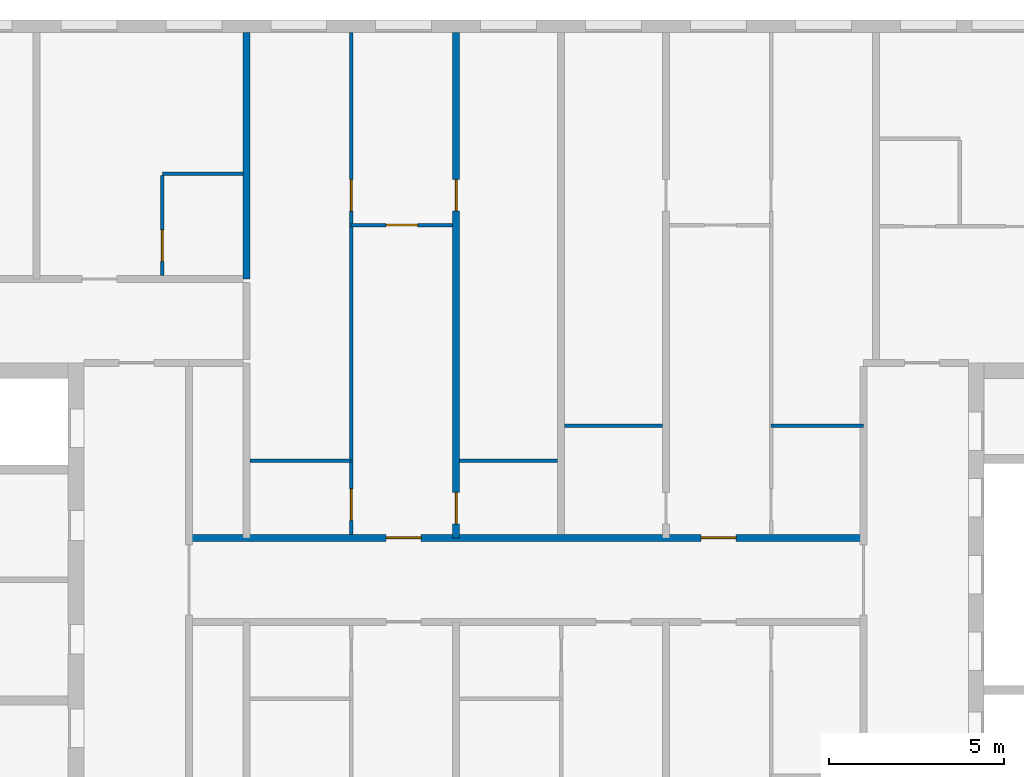
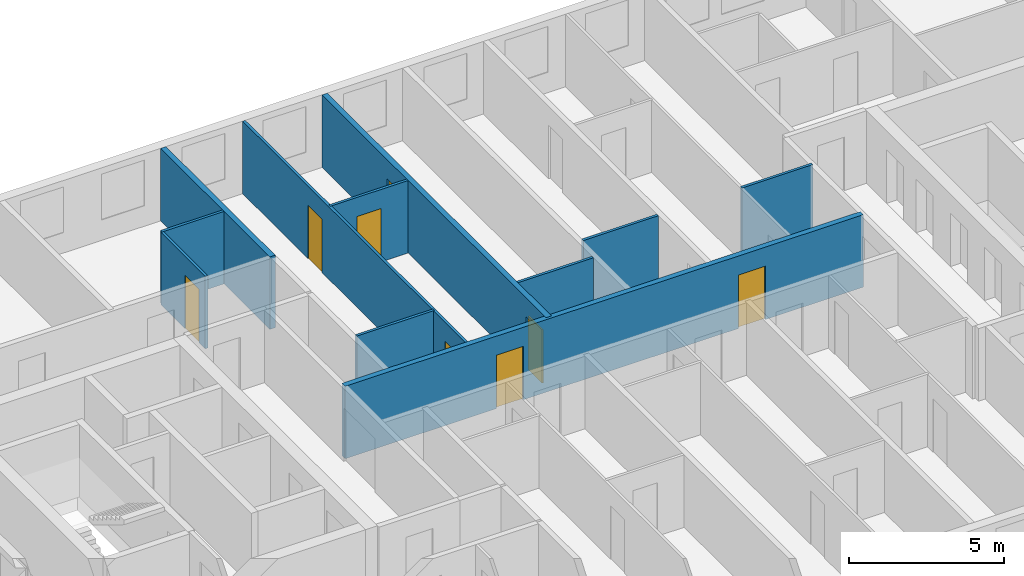
# One storey, part 5 of 16: 11 walls, 8 doors, 8 openings.
"""IFC4 building model written with IfcOpenShell, lengths in metres."""

from ifc_helpers import new_model, si_unit, direction, frame, frame_2d, origin, place, context, subcontext, project, spatial, rectangle, extrude, material, layer, layer_set, type_object, element, fill, save


model = new_model("IFC4")

# Units and contexts
model_context = context("Model", 3, precision=1e-05, world=origin(), true_north=direction((0.0, 1.0)))
body_context = subcontext(model_context, "Body", "Model", "MODEL_VIEW")
ifc_project = project(units=[si_unit("LENGTHUNIT", "METRE"), si_unit("AREAUNIT", "SQUARE_METRE"), si_unit("VOLUMEUNIT", "CUBIC_METRE"), si_unit("PLANEANGLEUNIT", "RADIAN"), si_unit("MASSUNIT", "GRAM", prefix="KILO")], contexts=[model_context])

# Site, building, storey
site_placement = place(None, origin())
site = spatial("IfcSite", under=ifc_project, at=site_placement, CompositionType="ELEMENT")
building_placement = place(site_placement, origin())
building = spatial("IfcBuilding", under=site, at=building_placement, Name="Tuart Gate Housing", CompositionType="ELEMENT")
storey_placement = place(building_placement, frame((0.0, 0.0, 175.800048828125)))
storey = spatial("IfcBuildingStorey", under=building, at=storey_placement, Name="L49", CompositionType="ELEMENT", Elevation=175.800048828125)

# Wall, openings, doors
ifc_material_1 = material(Name="Concrete masonry 15 MPa", Category="masonry")
ifc_layer_1 = layer(ifc_material_1, 0.199951171875)
ifc_layer_set_1 = layer_set([ifc_layer_1], Name="Corridor wall masonry 200")
wall_type_1 = type_object("IfcWallType", Name="Corridor wall masonry 200", PredefinedType="PARTITIONING", material=ifc_layer_set_1)
wall_1_placement = place(storey_placement, frame((44.360107421875, 71.199951171875, 0.0), z_axis=(0.0, 0.0, 1.0), x_axis=(1.0, 0.0, 0.0)))
wall_1 = element("IfcWall", 1, at=wall_1_placement, inside=storey, type_object=wall_type_1, Name="Corridor wall masonry 200", PredefinedType="PARTITIONING", context=body_context, shape_type="SweptSolid", body=[
    extrude(rectangle(XDim=19.27978515625, YDim=0.199951171875, at=frame_2d((9.639892578125, 0.0))), origin(), (0.0, 0.0, 1.0), 2.849853515625),
])
opening_1_placement = place(wall_1_placement, frame((14.639892578125, 0.0, 0.0)))
opening_1 = element("IfcOpeningElement", 2, at=opening_1_placement, cuts=wall_1, Name="Opening D1756", PredefinedType="OPENING", context=body_context, shape_type="SweptSolid", body=[
    extrude(rectangle(XDim=1.0, YDim=2.10009765625, at=frame_2d((0.5, 1.050048828125))), frame((0.0, 0.10986328125, 0.0), z_axis=(0.0, -1.0, 0.0), x_axis=(1.0, 0.0, 0.0)), (0.0, 0.0, 1.0), 0.219970703125),
])
opening_2_placement = place(wall_1_placement, frame((5.639892578125, 0.0, 0.0)))
opening_2 = element("IfcOpeningElement", 3, at=opening_2_placement, cuts=wall_1, Name="Opening D1757", PredefinedType="OPENING", context=body_context, shape_type="SweptSolid", body=[
    extrude(rectangle(XDim=1.0, YDim=2.10009765625, at=frame_2d((0.5, 1.050048828125))), frame((0.0, 0.10986328125, 0.0), z_axis=(0.0, -1.0, 0.0), x_axis=(1.0, 0.0, 0.0)), (0.0, 0.0, 1.0), 0.219970703125),
])
ifc_material_2 = material(Name="Timber door leaf in steel frame", Category="steel")
door_type_1 = type_object("IfcDoorType", Name="Flat entrance door 1000", OperationType="SINGLE_SWING_LEFT", PredefinedType="DOOR", material=ifc_material_2)
door_1_placement = place(opening_1_placement, origin())
door_1 = element("IfcDoor", 4, at=door_1_placement, inside=storey, type_object=door_type_1, Name="Flat entrance door", OperationType="SINGLE_SWING_LEFT", OverallHeight=2.10009765625, OverallWidth=1.0, PredefinedType="DOOR", context=body_context, shape_type="SweptSolid", body=[
    extrude(rectangle(XDim=1.0, YDim=2.10009765625, at=frame_2d((0.5, 1.050048828125))), frame((0.0, 0.02490234375, 0.0), z_axis=(0.0, -1.0, 0.0), x_axis=(1.0, 0.0, 0.0)), (0.0, 0.0, 1.0), 0.050048828125),
])
fill(opening_1, door_1)
door_2_placement = place(opening_2_placement, origin())
door_2 = element("IfcDoor", 5, at=door_2_placement, inside=storey, type_object=door_type_1, Name="Flat entrance door", OperationType="SINGLE_SWING_LEFT", OverallHeight=2.10009765625, OverallWidth=1.0, PredefinedType="DOOR", context=body_context, shape_type="SweptSolid", body=[
    extrude(rectangle(XDim=1.0, YDim=2.10009765625, at=frame_2d((0.5, 1.050048828125))), frame((0.0, 0.02490234375, 0.0), z_axis=(0.0, -1.0, 0.0), x_axis=(1.0, 0.0, 0.0)), (0.0, 0.0, 1.0), 0.050048828125),
])
fill(opening_2, door_2)

# Walls
ifc_material_3 = material(Name="Gypsum board on steel studs", Category="steel")
ifc_layer_2 = layer(ifc_material_3, 0.10009765625)
ifc_layer_set_2 = layer_set([ifc_layer_2], Name="Partition 100")
wall_type_2 = type_object("IfcWallType", Name="Partition 100", PredefinedType="PARTITIONING", material=ifc_layer_set_2)
wall_2_placement = place(storey_placement, frame((46.10009765625, 73.39990234375, 0.0), z_axis=(0.0, 0.0, 1.0), x_axis=(1.0, 0.0, 0.0)))
element("IfcWall", 6, at=wall_2_placement, inside=storey, type_object=wall_type_2, Name="Partition 100", PredefinedType="PARTITIONING", context=body_context, shape_type="SweptSolid", body=[
    extrude(rectangle(XDim=2.89990234375, YDim=0.10009765625, at=frame_2d((1.449951171875, 0.0))), origin(), (0.0, 0.0, 1.0), 2.849853515625),
])
for number, where, z_axis, x_axis, name in (
    (7, (52.10009765625, 73.39990234375, 0.0), (0.0, 0.0, 1.0), (1.0, 0.0, 0.0), "Partition 100"),
    (8, (55.10009765625, 74.39990234375, 0.0), (0.0, 0.0, 1.0), (1.0, 0.0, 0.0), "Partition 100"),
):
    element("IfcWall", number, at=place(storey_placement, frame(where, z_axis=z_axis, x_axis=x_axis)), inside=storey, type_object=wall_type_2, Name=name, PredefinedType="PARTITIONING", context=body_context, shape_type="SweptSolid", body=[
        extrude(rectangle(XDim=2.7998046875, YDim=0.10009765625, at=frame_2d((1.39990234375, 0.0))), origin(), (0.0, 0.0, 1.0), 2.849853515625),
    ])
wall_3_placement = place(storey_placement, frame((61.0, 74.39990234375, 0.0), z_axis=(0.0, 0.0, 1.0), x_axis=(1.0, 0.0, 0.0)))
element("IfcWall", 9, at=wall_3_placement, inside=storey, type_object=wall_type_2, Name="Partition 100", PredefinedType="PARTITIONING", context=body_context, shape_type="SweptSolid", body=[
    extrude(rectangle(XDim=2.639892578125, YDim=0.10009765625, at=frame_2d((1.31982421875, 0.0))), origin(), (0.0, 0.0, 1.0), 2.849853515625),
])

# Wall, opening, door
wall_4_placement = place(storey_placement, frame((49.0, 80.139892578125, 0.0), z_axis=(0.0, 0.0, 1.0), x_axis=(1.0, 0.0, 0.0)))
wall_4 = element("IfcWall", 10, at=wall_4_placement, inside=storey, type_object=wall_type_2, Name="Partition 100", PredefinedType="PARTITIONING", context=body_context, shape_type="SweptSolid", body=[
    extrude(rectangle(XDim=2.89990234375, YDim=0.10009765625, at=frame_2d((1.449951171875, 0.0))), origin(), (0.0, 0.0, 1.0), 2.849853515625),
])
opening_3_placement = place(wall_4_placement, frame((1.0, 0.0, 0.0)))
opening_3 = element("IfcOpeningElement", 11, at=opening_3_placement, cuts=wall_4, Name="Opening D1737", PredefinedType="OPENING", context=body_context, shape_type="SweptSolid", body=[
    extrude(rectangle(XDim=0.89990234375, YDim=2.10009765625, at=frame_2d((0.449951171875, 1.050048828125))), frame((0.0, 0.06005859375, 0.0), z_axis=(0.0, -1.0, 0.0), x_axis=(1.0, 0.0, 0.0)), (0.0, 0.0, 1.0), 0.1201171875),
])
ifc_material_4 = material(Name="Timber door leaf in steel frame", Category="steel")
door_type_2 = type_object("IfcDoorType", Name="Internal door 900 RH", OperationType="SINGLE_SWING_RIGHT", PredefinedType="DOOR", material=ifc_material_4)
door_3_placement = place(opening_3_placement, frame((0.89990234375, 0.0, 0.0), z_axis=(0.0, 0.0, 1.0), x_axis=(-1.0, 0.0, 0.0)))
door_3 = element("IfcDoor", 12, at=door_3_placement, inside=storey, type_object=door_type_2, Name="Internal door", OperationType="SINGLE_SWING_RIGHT", OverallHeight=2.10009765625, OverallWidth=0.89990234375, PredefinedType="DOOR", context=body_context, shape_type="SweptSolid", body=[
    extrude(rectangle(XDim=0.89990234375, YDim=2.10009765625, at=frame_2d((0.449951171875, 1.050048828125))), frame((0.0, 0.025146484375, 0.0), z_axis=(0.0, -1.0, 0.0), x_axis=(1.0, 0.0, 0.0)), (0.0, 0.0, 1.0), 0.050048828125),
])
fill(opening_3, door_3)

# Wall
wall_5_placement = place(storey_placement, frame((43.60009765625, 81.60009765625, 0.0), z_axis=(0.0, 0.0, 1.0), x_axis=(1.0, 0.0, 0.0)))
element("IfcWall", 13, at=wall_5_placement, inside=storey, type_object=wall_type_2, Name="Partition 100", PredefinedType="PARTITIONING", context=body_context, shape_type="SweptSolid", body=[
    extrude(rectangle(XDim=2.2998046875, YDim=0.10009765625, at=frame_2d((1.14990234375, 0.0))), origin(), (0.0, 0.0, 1.0), 2.849853515625),
])

# Wall, opening, door
wall_6_placement = place(storey_placement, frame((43.60009765625, 78.699951171875, 0.0), z_axis=(0.0, 0.0, 1.0), x_axis=(0.0, 1.0, 0.0)))
wall_6 = element("IfcWall", 14, at=wall_6_placement, inside=storey, type_object=wall_type_2, Name="Partition 100", PredefinedType="PARTITIONING", context=body_context, shape_type="SweptSolid", body=[
    extrude(rectangle(XDim=2.85009765625, YDim=0.10009765625, at=frame_2d((1.425048828125, 0.0))), origin(), (0.0, 0.0, 1.0), 2.849853515625),
])
opening_4_placement = place(wall_6_placement, frame((0.39990234375, 0.0, 0.0)))
opening_4 = element("IfcOpeningElement", 15, at=opening_4_placement, cuts=wall_6, Name="Opening D1739", PredefinedType="OPENING", context=body_context, shape_type="SweptSolid", body=[
    extrude(rectangle(XDim=0.89990234375, YDim=2.10009765625, at=frame_2d((0.449951171875, 1.050048828125))), frame((0.0, 0.06005859375, 0.0), z_axis=(0.0, -1.0, 0.0), x_axis=(1.0, 0.0, 0.0)), (0.0, 0.0, 1.0), 0.1201171875),
])
ifc_material_5 = material(Name="Timber door leaf in steel frame", Category="steel")
door_type_3 = type_object("IfcDoorType", Name="Bathroom door 900 RH", OperationType="SINGLE_SWING_RIGHT", PredefinedType="DOOR", material=ifc_material_5)
door_4_placement = place(opening_4_placement, frame((0.89990234375, 0.0, 0.0), z_axis=(0.0, 0.0, 1.0), x_axis=(-1.0, 0.0, 0.0)))
door_4 = element("IfcDoor", 16, at=door_4_placement, inside=storey, type_object=door_type_3, Name="Bathroom door", OperationType="SINGLE_SWING_RIGHT", OverallHeight=2.10009765625, OverallWidth=0.89990234375, PredefinedType="DOOR", context=body_context, shape_type="SweptSolid", body=[
    extrude(rectangle(XDim=0.89990234375, YDim=2.10009765625, at=frame_2d((0.449951171875, 1.050048828125))), frame((0.0, 0.025146484375, 0.0), z_axis=(0.0, -1.0, 0.0), x_axis=(1.0, 0.0, 0.0)), (0.0, 0.0, 1.0), 0.050048828125),
])
fill(opening_4, door_4)

# Wall, openings, doors
wall_7_placement = place(storey_placement, frame((49.0, 71.300048828125, 0.0), z_axis=(0.0, 0.0, 1.0), x_axis=(0.0, 1.0, 0.0)))
wall_7 = element("IfcWall", 17, at=wall_7_placement, inside=storey, type_object=wall_type_2, Name="Partition 100", PredefinedType="PARTITIONING", context=body_context, shape_type="SweptSolid", body=[
    extrude(rectangle(XDim=14.33984375, YDim=0.10009765625, at=frame_2d((7.169921875, 0.0))), origin(), (0.0, 0.0, 1.0), 2.849853515625),
])
opening_5_placement = place(wall_7_placement, frame((9.239990234375, 0.0, 0.0)))
opening_5 = element("IfcOpeningElement", 18, at=opening_5_placement, cuts=wall_7, Name="Opening D1745", PredefinedType="OPENING", context=body_context, shape_type="SweptSolid", body=[
    extrude(rectangle(XDim=0.89990234375, YDim=2.10009765625, at=frame_2d((0.449951171875, 1.050048828125))), frame((0.0, 0.06005859375, 0.0), z_axis=(0.0, -1.0, 0.0), x_axis=(1.0, 0.0, 0.0)), (0.0, 0.0, 1.0), 0.1201171875),
])
opening_6_placement = place(wall_7_placement, frame((0.39990234375, 0.0, 0.0)))
opening_6 = element("IfcOpeningElement", 19, at=opening_6_placement, cuts=wall_7, Name="Opening D1744", PredefinedType="OPENING", context=body_context, shape_type="SweptSolid", body=[
    extrude(rectangle(XDim=0.89990234375, YDim=2.10009765625, at=frame_2d((0.449951171875, 1.050048828125))), frame((0.0, 0.06005859375, 0.0), z_axis=(0.0, -1.0, 0.0), x_axis=(1.0, 0.0, 0.0)), (0.0, 0.0, 1.0), 0.1201171875),
])
ifc_material_6 = material(Name="Timber door leaf in steel frame", Category="steel")
door_type_4 = type_object("IfcDoorType", Name="Bathroom door 900", OperationType="SINGLE_SWING_LEFT", PredefinedType="DOOR", material=ifc_material_6)
door_5_placement = place(opening_6_placement, origin())
door_5 = element("IfcDoor", 20, at=door_5_placement, inside=storey, type_object=door_type_4, Name="Bathroom door", OperationType="SINGLE_SWING_LEFT", OverallHeight=2.10009765625, OverallWidth=0.89990234375, PredefinedType="DOOR", context=body_context, shape_type="SweptSolid", body=[
    extrude(rectangle(XDim=0.89990234375, YDim=2.10009765625, at=frame_2d((0.449951171875, 1.050048828125))), frame((0.0, 0.02490234375, 0.0), z_axis=(0.0, -1.0, 0.0), x_axis=(1.0, 0.0, 0.0)), (0.0, 0.0, 1.0), 0.050048828125),
])
fill(opening_6, door_5)
door_6_placement = place(opening_5_placement, origin())
door_6 = element("IfcDoor", 21, at=door_6_placement, inside=storey, type_object=door_type_2, Name="Internal door", OperationType="SINGLE_SWING_RIGHT", OverallHeight=2.10009765625, OverallWidth=0.89990234375, PredefinedType="DOOR", context=body_context, shape_type="SweptSolid", body=[
    extrude(rectangle(XDim=0.89990234375, YDim=2.10009765625, at=frame_2d((0.449951171875, 1.050048828125))), frame((0.0, 0.02490234375, 0.0), z_axis=(0.0, -1.0, 0.0), x_axis=(1.0, 0.0, 0.0)), (0.0, 0.0, 1.0), 0.050048828125),
])
fill(opening_5, door_6)

# Wall
ifc_material_7 = material(Name="Concrete C40", Category="concrete")
ifc_layer_3 = layer(ifc_material_7, 0.199951171875)
ifc_layer_set_3 = layer_set([ifc_layer_3], Name="Party wall concrete C40 200")
wall_type_3 = type_object("IfcWallType", Name="Party wall concrete C40 200", PredefinedType="SOLIDWALL", material=ifc_layer_set_3)
wall_8_placement = place(storey_placement, frame((46.0, 78.60009765625, 0.0), z_axis=(0.0, 0.0, 1.0), x_axis=(0.0, 1.0, 0.0)))
element("IfcWall", 22, at=wall_8_placement, inside=storey, type_object=wall_type_3, Name="Party wall concrete C40 200", PredefinedType="SOLIDWALL", context=body_context, shape_type="SweptSolid", body=[
    extrude(rectangle(XDim=7.039794921875, YDim=0.199951171875, at=frame_2d((3.52001953125, 0.0))), origin(), (0.0, 0.0, 1.0), 2.849853515625),
])

# Wall, openings, doors
wall_9_placement = place(storey_placement, frame((52.0, 71.199951171875, 0.0), z_axis=(0.0, 0.0, 1.0), x_axis=(0.0, 1.0, 0.0)))
wall_9 = element("IfcWall", 23, at=wall_9_placement, inside=storey, type_object=wall_type_3, Name="Party wall concrete C40 200", PredefinedType="SOLIDWALL", context=body_context, shape_type="SweptSolid", body=[
    extrude(rectangle(XDim=14.43994140625, YDim=0.199951171875, at=frame_2d((7.219970703125, 0.0))), origin(), (0.0, 0.0, 1.0), 2.849853515625),
])
opening_7_placement = place(wall_9_placement, frame((9.340087890625, 0.0, 0.0)))
opening_7 = element("IfcOpeningElement", 24, at=opening_7_placement, cuts=wall_9, Name="Opening D1749", PredefinedType="OPENING", context=body_context, shape_type="SweptSolid", body=[
    extrude(rectangle(XDim=0.89990234375, YDim=2.10009765625, at=frame_2d((0.449951171875, 1.050048828125))), frame((0.0, 0.10986328125, 0.0), z_axis=(0.0, -1.0, 0.0), x_axis=(1.0, 0.0, 0.0)), (0.0, 0.0, 1.0), 0.219970703125),
])
opening_8_placement = place(wall_9_placement, frame((0.39990234375, 0.0, 0.0)))
opening_8 = element("IfcOpeningElement", 25, at=opening_8_placement, cuts=wall_9, Name="Opening D1748", PredefinedType="OPENING", context=body_context, shape_type="SweptSolid", body=[
    extrude(rectangle(XDim=0.89990234375, YDim=2.10009765625, at=frame_2d((0.449951171875, 1.050048828125))), frame((0.0, 0.10986328125, 0.0), z_axis=(0.0, -1.0, 0.0), x_axis=(1.0, 0.0, 0.0)), (0.0, 0.0, 1.0), 0.219970703125),
])
door_7_placement = place(opening_8_placement, frame((0.89990234375, 0.0, 0.0), z_axis=(0.0, 0.0, 1.0), x_axis=(-1.0, 0.0, 0.0)))
door_7 = element("IfcDoor", 26, at=door_7_placement, inside=storey, type_object=door_type_3, Name="Bathroom door", OperationType="SINGLE_SWING_RIGHT", OverallHeight=2.10009765625, OverallWidth=0.89990234375, PredefinedType="DOOR", context=body_context, shape_type="SweptSolid", body=[
    extrude(rectangle(XDim=0.89990234375, YDim=2.10009765625, at=frame_2d((0.449951171875, 1.050048828125))), frame((0.0, 0.025146484375, 0.0), z_axis=(0.0, -1.0, 0.0), x_axis=(1.0, 0.0, 0.0)), (0.0, 0.0, 1.0), 0.050048828125),
])
fill(opening_8, door_7)
ifc_material_8 = material(Name="Timber door leaf in steel frame", Category="steel")
door_type_5 = type_object("IfcDoorType", Name="Internal door 900", OperationType="SINGLE_SWING_LEFT", PredefinedType="DOOR", material=ifc_material_8)
door_8_placement = place(opening_7_placement, frame((0.89990234375, 0.0, 0.0), z_axis=(0.0, 0.0, 1.0), x_axis=(-1.0, 0.0, 0.0)))
door_8 = element("IfcDoor", 27, at=door_8_placement, inside=storey, type_object=door_type_5, Name="Internal door", OperationType="SINGLE_SWING_LEFT", OverallHeight=2.10009765625, OverallWidth=0.89990234375, PredefinedType="DOOR", context=body_context, shape_type="SweptSolid", body=[
    extrude(rectangle(XDim=0.89990234375, YDim=2.10009765625, at=frame_2d((0.449951171875, 1.050048828125))), frame((0.0, 0.025146484375, 0.0), z_axis=(0.0, -1.0, 0.0), x_axis=(1.0, 0.0, 0.0)), (0.0, 0.0, 1.0), 0.050048828125),
])
fill(opening_7, door_8)

save(model, "model.ifc")
